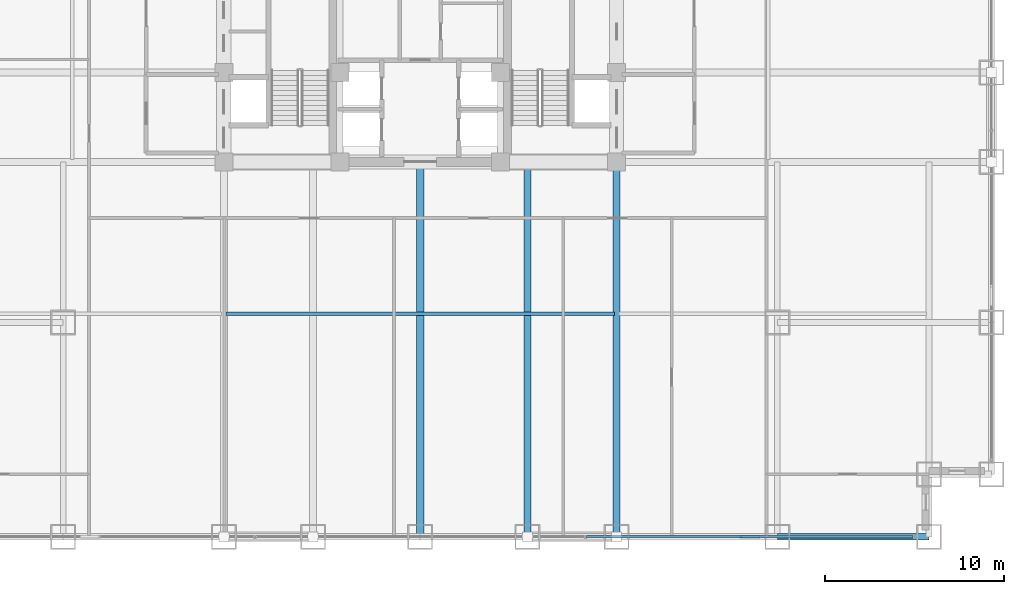
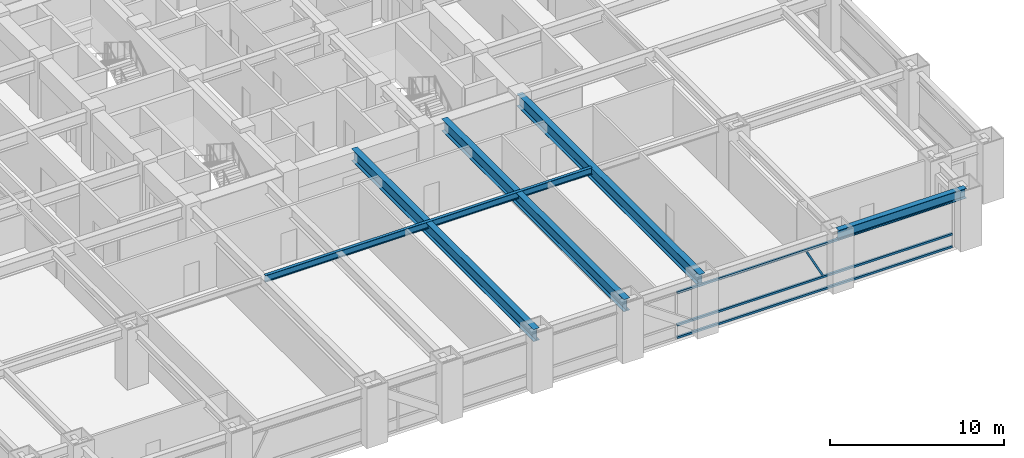
# One storey, part 9 of 27: 5 beams, 4 members, 1 element without a shape of its own.
"""IFC4 building model written with IfcOpenShell, lengths in metres."""

from ifc_helpers import new_model, si_unit, direction, frame, origin, origin_2d, place, context, subcontext, project, spatial, hollow_rectangle, i_section, extrude, source, transform, mapped, material, material_profile, profile_set, type_object, element, aggregate, save


model = new_model("IFC4")

# Units and contexts
model_context = context("Model", 3, precision=1e-05, world=origin(), true_north=direction((0.0, 1.0)))
body_context = subcontext(model_context, "Body", "Model", "MODEL_VIEW")
ifc_project = project(units=[si_unit("LENGTHUNIT", "METRE"), si_unit("AREAUNIT", "SQUARE_METRE"), si_unit("VOLUMEUNIT", "CUBIC_METRE"), si_unit("PLANEANGLEUNIT", "RADIAN"), si_unit("MASSUNIT", "GRAM", prefix="KILO")], contexts=[model_context])

# Site, building, storey
site_placement = place(None, origin())
site = spatial("IfcSite", under=ifc_project, at=site_placement, CompositionType="ELEMENT")
building_placement = place(site_placement, origin())
building = spatial("IfcBuilding", under=site, at=building_placement, Name="Khorayat Bourse Tower", CompositionType="ELEMENT")
storey_placement = place(building_placement, frame((0.0, 0.0, 45.199951171875)))
storey = spatial("IfcBuildingStorey", under=building, at=storey_placement, Name="L09", CompositionType="ELEMENT", Elevation=45.199951171875)

# Beams
ifc_material_1 = material(Name="Steel ASTM A992 Grade 50", Category="steel")
ifc_material_profile_1 = material_profile(ifc_material_1, i_section(OverallWidth=0.35498046875, OverallDepth=0.695068359375, WebThickness=0.015380859375, FlangeThickness=0.02490234375, FilletRadius=0.01806640625, at=origin_2d()), Name="W690X217")
ifc_profile_set_1 = profile_set([ifc_material_profile_1], Name="Steel ASTM A992 Grade 50")
beam_type_1 = type_object("IfcBeamType", Name="BM-SPAN-690", PredefinedType="SPANDREL", material=ifc_profile_set_1)
shared_shape_1 = source(origin(), body_context, "Body", "SweptSolid", [
    extrude(i_section(OverallWidth=0.35498046875, OverallDepth=0.695068359375, WebThickness=0.015380859375, FlangeThickness=0.02490234375, FilletRadius=0.01806640625, at=origin_2d()), origin(), (0.0, 0.0, 1.0), 8.5),
])
beam_1_placement = place(storey_placement, frame((20.0, -32.0, 3.592529296875), z_axis=(1.0, 0.0, 0.0), x_axis=(0.0, 1.0, 0.0)))
element("IfcBeam", 1, at=beam_1_placement, inside=storey, type_object=beam_type_1, Name="L09 BM-SPAN-690 BM-L09-SPN-031", PredefinedType="SPANDREL", context=body_context, shape_type="MappedRepresentation", body=[
    mapped(shared_shape_1, transform((0.0, 0.0, 0.0), scale=1.0)),
])
ifc_material_profile_2 = material_profile(ifc_material_1, i_section(OverallWidth=0.39990234375, OverallDepth=0.85498046875, WebThickness=0.018310546875, FlangeThickness=0.029296875, FilletRadius=0.02001953125, at=origin_2d()), Name="W840X299")
ifc_profile_set_2 = profile_set([ifc_material_profile_2], Name="Steel ASTM A992 Grade 50")
beam_type_2 = type_object("IfcBeamType", Name="BM-GIRD-840", PredefinedType="BEAM", material=ifc_profile_set_2)
shared_shape_2 = source(origin(), body_context, "Body", "SweptSolid", [
    extrude(i_section(OverallWidth=0.39990234375, OverallDepth=0.85498046875, WebThickness=0.018310546875, FlangeThickness=0.029296875, FilletRadius=0.02001953125, at=origin_2d()), origin(), (0.0, 0.0, 1.0), 21.0),
])
for number, where, z_axis, x_axis, name in (
    (2, (0.0, -32.0, 3.512451171875), (0.0, 1.0, 0.0), (-1.0, 0.0, 0.0), "L09 BM-GIRD-840 BM-L09-RADY-069"),
    (3, (6.0, -32.0, 3.512451171875), (0.0, 1.0, 0.0), (-1.0, 0.0, 0.0), "L09 BM-GIRD-840 BM-L09-RADY-071"),
    (4, (11.0, -32.0, 3.512451171875), (0.0, 1.0, 0.0), (-1.0, 0.0, 0.0), "L09 BM-GIRD-840 BM-L09-RADY-073"),
):
    element("IfcBeam", number, at=place(storey_placement, frame(where, z_axis=z_axis, x_axis=x_axis)), inside=storey, type_object=beam_type_2, Name=name, PredefinedType="BEAM", context=body_context, shape_type="MappedRepresentation", body=[
        mapped(shared_shape_2, transform((0.0, 0.0, 0.0), scale=1.0)),
    ])
ifc_material_profile_3 = material_profile(ifc_material_1, i_section(OverallWidth=0.194091796875, OverallDepth=0.468994140625, WebThickness=0.0126953125, FlangeThickness=0.0205078125, FilletRadius=0.012939453125, at=origin_2d()), Name="W460X106")
ifc_profile_set_3 = profile_set([ifc_material_profile_3], Name="Steel ASTM A992 Grade 50")
beam_type_3 = type_object("IfcBeamType", Name="BM-JOIST-460", PredefinedType="JOIST", material=ifc_profile_set_3)
shared_shape_3 = source(origin(), body_context, "Body", "SweptSolid", [
    extrude(i_section(OverallWidth=0.194091796875, OverallDepth=0.468994140625, WebThickness=0.0126953125, FlangeThickness=0.0205078125, FilletRadius=0.012939453125, at=origin_2d()), origin(), (0.0, 0.0, 1.0), 21.740234375),
])
beam_2_placement = place(storey_placement, frame((-10.8701171875, -19.5, 3.70556640625), z_axis=(1.0, 0.0, 0.0), x_axis=(0.0, 1.0, 0.0)))
element("IfcBeam", 5, at=beam_2_placement, inside=storey, type_object=beam_type_3, Name="L09 BM-JOIST-460 BM-L09-JSTX-097", PredefinedType="JOIST", context=body_context, shape_type="MappedRepresentation", body=[
    mapped(shared_shape_3, transform((0.0, 0.0, 0.0), scale=1.0)),
])

# Curtain wall, members
ifc_material_2 = material(Name="Aluminium EN AW-6063 T6", Category="aluminium")
curtain_wall_type = type_object("IfcCurtainWallType", Name="CW-SYS-02", PredefinedType="NOTDEFINED", material=ifc_material_2)
curtain_wall_placement = place(storey_placement, origin())
curtain_wall = element("IfcCurtainWall", 6, at=curtain_wall_placement, inside=storey, type_object=curtain_wall_type, Name="L09 Curtain Wall CW-L09-S1", PredefinedType="NOTDEFINED")
ifc_material_profile_4 = material_profile(ifc_material_2, hollow_rectangle(XDim=0.139892578125, YDim=0.139892578125, WallThickness=0.006103515625, at=origin_2d()), Name="ALU 140x140x6")
ifc_profile_set_4 = profile_set([ifc_material_profile_4], Name="Aluminium EN AW-6063 T6")
member_type_1 = type_object("IfcMemberType", Name="CWT-HORZ-140", PredefinedType="USERDEFINED", material=ifc_profile_set_4)
shared_shape_4 = source(origin(), body_context, "Body", "SweptSolid", [
    extrude(hollow_rectangle(XDim=0.139892578125, YDim=0.139892578125, WallThickness=0.006103515625, at=origin_2d()), origin(), (0.0, 0.0, 1.0), 18.2900390625),
])
member_1_placement = place(storey_placement, frame((9.320068359375, -32.0, 0.070068359375), z_axis=(1.0, 0.0, 0.0), x_axis=(0.0, 1.0, 0.0)))
member_1 = element("IfcMember", 7, at=member_1_placement, type_object=member_type_1, Name="CW-L09-S1 Horizontal Transom 3-1", ObjectType="TRANSOM", PredefinedType="USERDEFINED", context=body_context, shape_type="MappedRepresentation", body=[
    mapped(shared_shape_4, transform((0.0, 0.0, 0.0), scale=1.0)),
])
member_2_placement = place(storey_placement, frame((9.320068359375, -32.0, 0.949951171875), z_axis=(1.0, 0.0, 0.0), x_axis=(0.0, 1.0, 0.0)))
member_2 = element("IfcMember", 8, at=member_2_placement, type_object=member_type_1, Name="CW-L09-S1 Horizontal Transom 3-2", ObjectType="TRANSOM", PredefinedType="USERDEFINED", context=body_context, shape_type="MappedRepresentation", body=[
    mapped(shared_shape_4, transform((0.0, 0.0, 0.0), scale=1.0)),
])
member_3_placement = place(storey_placement, frame((9.320068359375, -32.0, 3.219970703125), z_axis=(1.0, 0.0, 0.0), x_axis=(0.0, 1.0, 0.0)))
member_3 = element("IfcMember", 9, at=member_3_placement, type_object=member_type_1, Name="CW-L09-S1 Horizontal Transom 3-3", ObjectType="TRANSOM", PredefinedType="USERDEFINED", context=body_context, shape_type="MappedRepresentation", body=[
    mapped(shared_shape_4, transform((0.0, 0.0, 0.0), scale=1.0)),
])
ifc_material_profile_5 = material_profile(ifc_material_2, hollow_rectangle(XDim=0.1201171875, YDim=0.1201171875, WallThickness=0.0048828125, at=origin_2d()), Name="ALU 120x120x5")
ifc_profile_set_5 = profile_set([ifc_material_profile_5], Name="Aluminium EN AW-6063 T6")
member_type_2 = type_object("IfcMemberType", Name="CWM-DIAG-120", PredefinedType="MULLION", material=ifc_profile_set_5)
shared_shape_5 = source(origin(), body_context, "Body", "SweptSolid", [
    extrude(hollow_rectangle(XDim=0.1201171875, YDim=0.1201171875, WallThickness=0.0048828125, at=origin_2d()), origin(), (0.0, 0.0, 1.0), 2.22607421875),
])
member_4_placement = place(storey_placement, frame((18.9833984375, -32.0, 1.10009765625), z_axis=(-0.465759992596, 0.0, 0.884911085532), x_axis=(0.0, -1.0, 0.0)))
member_4 = element("IfcMember", 10, at=member_4_placement, type_object=member_type_2, Name="CW-L09-S1 Faceted Diagonal Mullion 3", PredefinedType="MULLION", context=body_context, shape_type="MappedRepresentation", body=[
    mapped(shared_shape_5, transform((0.0, 0.0, 0.0), scale=1.0)),
])
aggregate(curtain_wall, [member_1, member_2, member_3, member_4])

save(model, "model.ifc")
